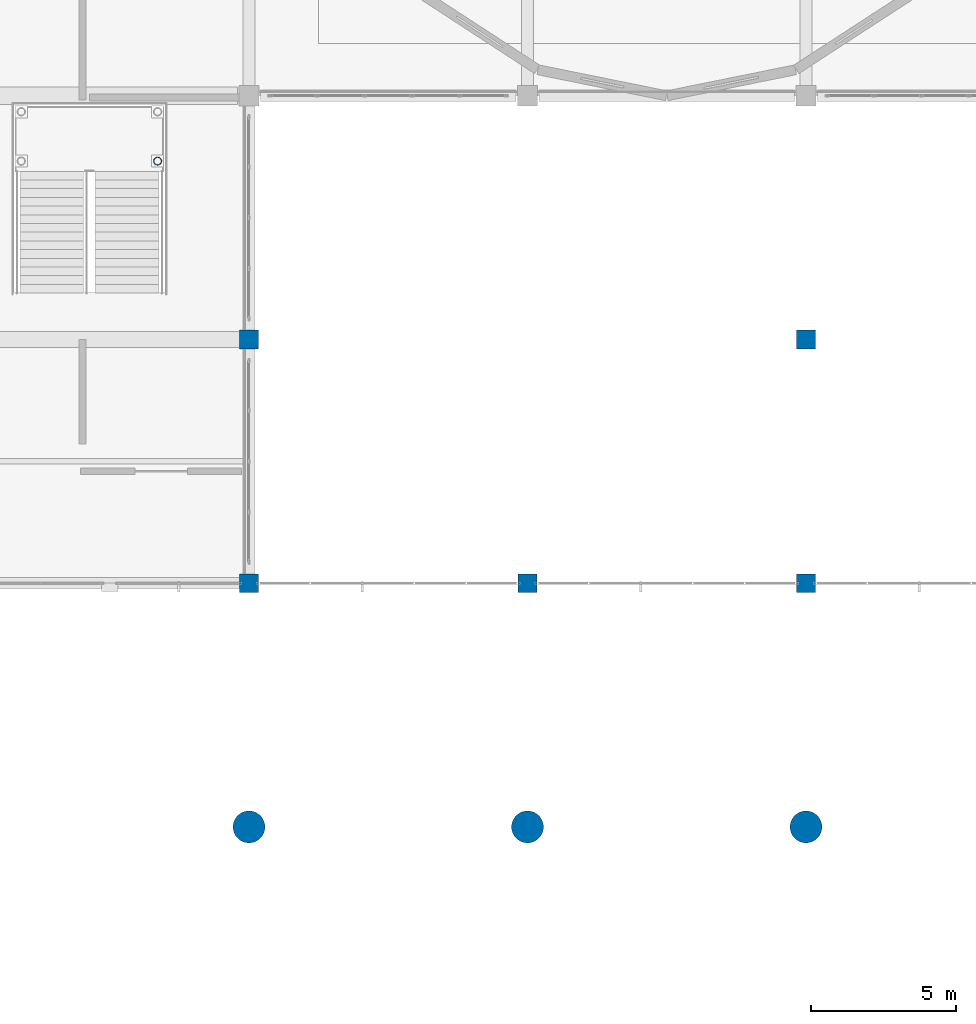
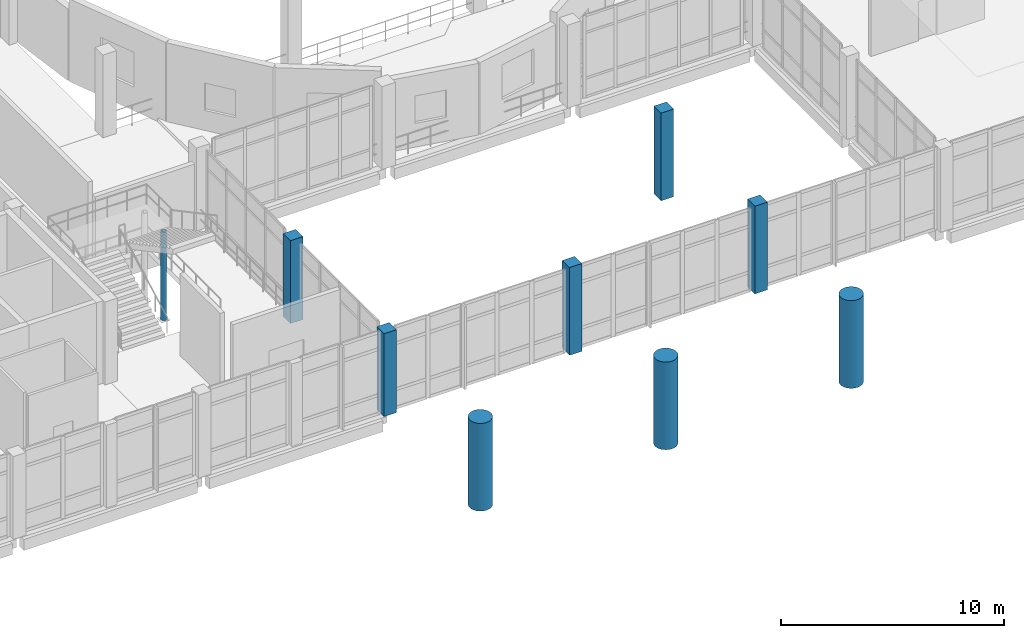
# One storey, part 5 of 102: 9 columns.
"""IFC4 building model written with IfcOpenShell, lengths in metres."""

from ifc_helpers import new_model, si_unit, direction, frame, origin, origin_2d, place, context, subcontext, project, spatial, rectangle, circle, hollow_circle, extrude, material, material_profile, profile_set, type_object, element, save


model = new_model("IFC4")

# Units and contexts
model_context = context("Model", 3, precision=1e-05, world=origin(), true_north=direction((0.0, 1.0)))
body_context = subcontext(model_context, "Body", "Model", "MODEL_VIEW")
ifc_project = project(units=[si_unit("LENGTHUNIT", "METRE"), si_unit("AREAUNIT", "SQUARE_METRE"), si_unit("VOLUMEUNIT", "CUBIC_METRE"), si_unit("PLANEANGLEUNIT", "RADIAN"), si_unit("MASSUNIT", "GRAM", prefix="KILO")], contexts=[model_context])

# Site, building, storey
site_placement = place(None, origin())
site = spatial("IfcSite", under=ifc_project, at=site_placement, CompositionType="ELEMENT")
building_placement = place(site_placement, origin())
building = spatial("IfcBuilding", under=site, at=building_placement, Name="Lornevale Opera House", CompositionType="ELEMENT")
storey_placement = place(building_placement, frame((0.0, 0.0, 5.39990234375)))
storey = spatial("IfcBuildingStorey", under=building, at=storey_placement, Name="L02", CompositionType="ELEMENT", Elevation=5.39990234375)

# Columns
ifc_material_1 = material(Name="Concrete 40 MPa (CSA A23.1 C-1)", Category="concrete")
ifc_material_profile_1 = material_profile(ifc_material_1, rectangle(XDim=0.64990234375, YDim=0.64990234375, at=origin_2d()), Name="RC650x650")
ifc_profile_set_1 = profile_set([ifc_material_profile_1], Name="Concrete 40 MPa (CSA A23.1 C-1)")
column_type_1 = type_object("IfcColumnType", Name="Concrete Column 650x650", PredefinedType="COLUMN", material=ifc_profile_set_1)
for number, where, z_axis, x_axis, name in (
    (1, (67.199951171875, 16.800048828125, 0.0), (0.0, 0.0, 1.0), (1.0, 0.0, 0.0), "Concrete Column 650x650 0425"),
    (2, (67.199951171875, 25.199951171875, 0.0), (0.0, 0.0, 1.0), (1.0, 0.0, 0.0), "Concrete Column 650x650 0430"),
):
    element("IfcColumn", number, at=place(storey_placement, frame(where, z_axis=z_axis, x_axis=x_axis)), inside=storey, type_object=column_type_1, Name=name, PredefinedType="COLUMN", context=body_context, shape_type="SweptSolid", body=[
        extrude(rectangle(XDim=0.64990234375, YDim=0.64990234375, at=origin_2d()), origin(), (0.0, 0.0, 1.0), 4.5400390625),
    ])
for number, where, z_axis, x_axis, name in (
    (3, (76.800048828125, 16.800048828125, 0.0), (0.0, 0.0, 1.0), (1.0, 0.0, 0.0), "Concrete Column 650x650 0507"),
    (4, (86.39990234375, 16.800048828125, 0.0), (0.0, 0.0, 1.0), (1.0, 0.0, 0.0), "Concrete Column 650x650 0554"),
    (5, (86.39990234375, 25.199951171875, 0.0), (0.0, 0.0, 1.0), (1.0, 0.0, 0.0), "Concrete Column 650x650 0559"),
):
    element("IfcColumn", number, at=place(storey_placement, frame(where, z_axis=z_axis, x_axis=x_axis)), inside=storey, type_object=column_type_1, Name=name, PredefinedType="COLUMN", context=body_context, shape_type="SweptSolid", body=[
        extrude(rectangle(XDim=0.64990234375, YDim=0.64990234375, at=origin_2d()), origin(), (0.0, 0.0, 1.0), 4.800048828125),
    ])
ifc_material_2 = material(Name="Precast Concrete 40 MPa (CSA A23.1 C-1)", Category="concrete")
ifc_material_profile_2 = material_profile(ifc_material_2, circle(Radius=0.550048828125, at=origin_2d()), Name="RCCOL1100")
ifc_profile_set_2 = profile_set([ifc_material_profile_2], Name="Precast Concrete 40 MPa (CSA A23.1 C-1)")
column_type_2 = type_object("IfcColumnType", Name="Postmodern Portico Column D1100", PredefinedType="COLUMN", material=ifc_profile_set_2)
for number, where, z_axis, x_axis, name in (
    (6, (67.199951171875, 8.39990234375, 0.0), (0.0, 0.0, 1.0), (1.0, 0.0, 0.0), "Postmodern Portico Column D1100 0420"),
    (7, (76.800048828125, 8.39990234375, 0.0), (0.0, 0.0, 1.0), (1.0, 0.0, 0.0), "Postmodern Portico Column D1100 0502"),
    (8, (86.39990234375, 8.39990234375, 0.0), (0.0, 0.0, 1.0), (1.0, 0.0, 0.0), "Postmodern Portico Column D1100 0549"),
):
    element("IfcColumn", number, at=place(storey_placement, frame(where, z_axis=z_axis, x_axis=x_axis)), inside=storey, type_object=column_type_2, Name=name, PredefinedType="COLUMN", context=body_context, shape_type="SweptSolid", body=[
        extrude(circle(Radius=0.550048828125, at=origin_2d()), origin(), (0.0, 0.0, 1.0), 4.800048828125),
    ])
ifc_material_3 = material(Name="Structural Steel CSA G40.21 Grade 350W (350 MPa)", Category="steel")
ifc_material_profile_3 = material_profile(ifc_material_3, hollow_circle(Radius=0.136474609375, WallThickness=0.010986328125, at=origin_2d()), Name="HSS273x11")
ifc_profile_set_3 = profile_set([ifc_material_profile_3], Name="Structural Steel CSA G40.21 Grade 350W (350 MPa)")
column_type_3 = type_object("IfcColumnType", Name="Promenade Ramp Mast HSS273x11", PredefinedType="COLUMN", material=ifc_profile_set_3)
column_placement = place(storey_placement, frame((64.050048828125, 31.35009765625, -2.699951171875), z_axis=(0.0, 0.0, 1.0), x_axis=(1.0, 0.0, 0.0)))
element("IfcColumn", 9, at=column_placement, inside=storey, type_object=column_type_3, Name="Grand Stair Landing Post L02 1127", PredefinedType="COLUMN", context=body_context, shape_type="SweptSolid", body=[
    extrude(hollow_circle(Radius=0.136474609375, WallThickness=0.010986328125, at=origin_2d()), origin(), (0.0, 0.0, 1.0), 4.860107421875),
])

save(model, "model.ifc")
